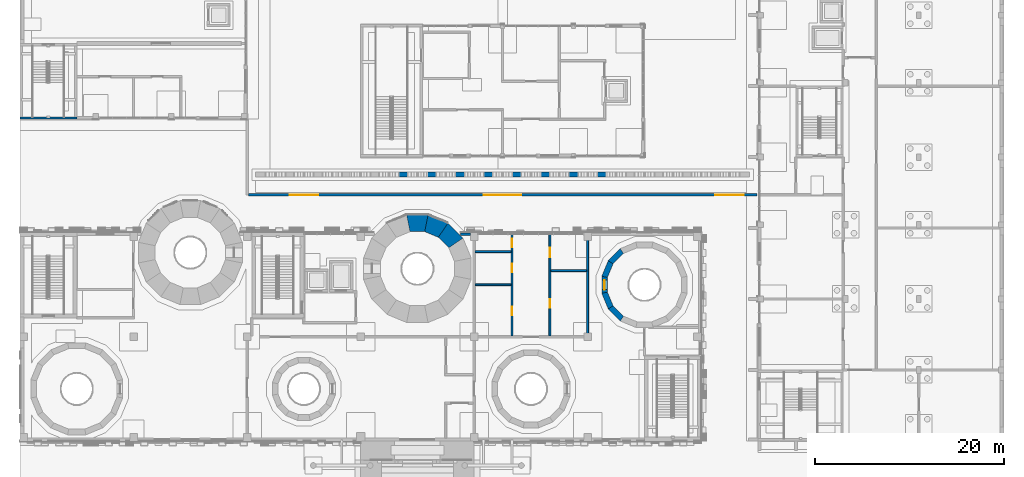
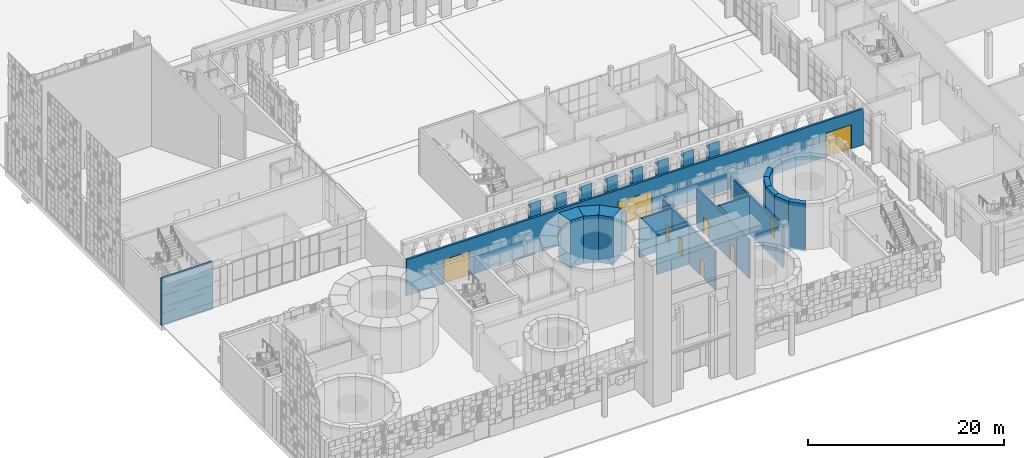
# One storey, part 50 of 125: 25 walls, 9 doors, 9 openings.
"""IFC4 building model written with IfcOpenShell, lengths in metres."""

from ifc_helpers import new_model, si_unit, direction, frame, frame_2d, origin, place, context, subcontext, project, spatial, polyline, rectangle, outline, extrude, material, layer, layer_set, type_object, element, fill, save


model = new_model("IFC4")

# Units and contexts
model_context = context("Model", 3, precision=1e-05, world=origin(), true_north=direction((0.0, 1.0)))
body_context = subcontext(model_context, "Body", "Model", "MODEL_VIEW")
ifc_project = project(units=[si_unit("LENGTHUNIT", "METRE"), si_unit("AREAUNIT", "SQUARE_METRE"), si_unit("VOLUMEUNIT", "CUBIC_METRE"), si_unit("PLANEANGLEUNIT", "RADIAN"), si_unit("MASSUNIT", "GRAM", prefix="KILO")], contexts=[model_context])

# Site, building, storey
site_placement = place(None, origin())
site = spatial("IfcSite", under=ifc_project, at=site_placement, CompositionType="ELEMENT")
building_placement = place(site_placement, origin())
building = spatial("IfcBuilding", under=site, at=building_placement, Name="Sun Court Science Centre", CompositionType="ELEMENT")
storey_placement = place(building_placement, origin())
storey = spatial("IfcBuildingStorey", under=building, at=storey_placement, Name="L00", CompositionType="ELEMENT", Elevation=0.0)

# Walls
ifc_material_1 = material(Name="Concrete C30/37", Category="concrete")
ifc_layer_1 = layer(ifc_material_1, 0.5)
ifc_layer_set_1 = layer_set([ifc_layer_1], Name="Concrete C30/37")
wall_type_1 = type_object("IfcWallType", Name="Arcade pier 500 reinforced", PredefinedType="SOLIDWALL", material=ifc_layer_set_1)
for number, where, z_axis, x_axis, name in (
    (1, (39.89990234375, 34.14990234375, 0.0), (0.0, 0.0, 1.0), (1.0, 0.0, 0.0), "Arcade pier AR1 06"),
    (2, (42.89990234375, 34.14990234375, 0.0), (0.0, 0.0, 1.0), (1.0, 0.0, 0.0), "Arcade pier AR1 07"),
    (3, (45.89990234375, 34.14990234375, 0.0), (0.0, 0.0, 1.0), (1.0, 0.0, 0.0), "Arcade pier AR1 08"),
    (4, (48.89990234375, 34.14990234375, 0.0), (0.0, 0.0, 1.0), (1.0, 0.0, 0.0), "Arcade pier AR1 09"),
    (5, (51.89990234375, 34.14990234375, 0.0), (0.0, 0.0, 1.0), (1.0, 0.0, 0.0), "Arcade pier AR1 10"),
    (6, (54.89990234375, 34.14990234375, 0.0), (0.0, 0.0, 1.0), (1.0, 0.0, 0.0), "Arcade pier AR1 11"),
    (7, (57.89990234375, 34.14990234375, 0.0), (0.0, 0.0, 1.0), (1.0, 0.0, 0.0), "Arcade pier AR1 12"),
    (8, (60.89990234375, 34.14990234375, 0.0), (0.0, 0.0, 1.0), (1.0, 0.0, 0.0), "Arcade pier AR1 13"),
):
    element("IfcWall", number, at=place(storey_placement, frame(where, z_axis=z_axis, x_axis=x_axis)), inside=storey, type_object=wall_type_1, Name=name, PredefinedType="SOLIDWALL", context=body_context, shape_type="SweptSolid", body=[
        extrude(rectangle(XDim=1.2001953125, YDim=0.5, at=frame_2d((0.60009765625, 0.0))), origin(), (0.0, 0.0, 1.0), 4.800048828125),
    ])
ifc_material_2 = material(Name="Clay masonry", Category="masonry")
ifc_layer_2 = layer(ifc_material_2, 0.300048828125)
ifc_layer_set_2 = layer_set([ifc_layer_2], Name="Clay masonry")
wall_type_2 = type_object("IfcWallType", Name="Clay masonry infill wall 300", PredefinedType="SOLIDWALL", material=ifc_layer_set_2)
wall_1_placement = place(storey_placement, frame((46.544921875, 27.85009765625, 0.0), z_axis=(0.0, 0.0, 1.0), x_axis=(1.0, 0.0, 0.0)))
element("IfcWall", 9, at=wall_1_placement, inside=storey, type_object=wall_type_2, Name="External infill wall L00 north face 05", PredefinedType="SOLIDWALL", context=body_context, shape_type="SweptSolid", body=[
    extrude(rectangle(XDim=1.05517578125, YDim=0.300048828125, at=frame_2d((0.527587890625, 0.0))), origin(), (0.0, 0.0, 1.0), 4.800048828125),
])

# Wall, openings, doors
ifc_material_3 = material(Name="Concrete block", Category="concrete")
ifc_layer_3 = layer(ifc_material_3, 0.199951171875)
ifc_layer_set_3 = layer_set([ifc_layer_3], Name="Concrete block")
wall_type_3 = type_object("IfcWallType", Name="Partition 200 block EI60", PredefinedType="PARTITIONING", material=ifc_layer_set_3)
wall_2_placement = place(storey_placement, frame((56.0, 27.800048828125, 0.0), z_axis=(0.0, 0.0, 1.0), x_axis=(0.0, -1.0, 0.0)))
wall_2 = element("IfcWall", 10, at=wall_2_placement, inside=storey, type_object=wall_type_3, Name="L00 partition 014", PredefinedType="PARTITIONING", context=body_context, shape_type="SweptSolid", body=[
    extrude(rectangle(XDim=10.699951171875, YDim=0.199951171875, at=frame_2d((5.35009765625, 0.0))), origin(), (0.0, 0.0, 1.0), 4.800048828125),
])
opening_1_placement = place(wall_2_placement, frame((6.84912109375, 0.0, 0.0)))
opening_1 = element("IfcOpeningElement", 11, at=opening_1_placement, cuts=wall_2, Name="Opening D-L00-004", PredefinedType="OPENING", context=body_context, shape_type="SweptSolid", body=[
    extrude(rectangle(XDim=0.89990234375, YDim=2.10009765625, at=frame_2d((0.449951171875, 1.050048828125))), frame((0.0, 0.10986328125, 0.0), z_axis=(0.0, -1.0, 0.0), x_axis=(1.0, 0.0, 0.0)), (0.0, 0.0, 1.0), 0.219970703125),
])
opening_2_placement = place(wall_2_placement, frame((1.40087890625, 0.0, 0.0)))
opening_2 = element("IfcOpeningElement", 12, at=opening_2_placement, cuts=wall_2, Name="Opening D-L00-005", PredefinedType="OPENING", context=body_context, shape_type="SweptSolid", body=[
    extrude(rectangle(XDim=1.0, YDim=2.10009765625, at=frame_2d((0.5, 1.050048828125))), frame((0.0, 0.10986328125, 0.0), z_axis=(0.0, -1.0, 0.0), x_axis=(1.0, 0.0, 0.0)), (0.0, 0.0, 1.0), 0.219970703125),
])
ifc_material_4 = material(Name="Steel", Category="steel")
door_type_1 = type_object("IfcDoorType", Name="Door 1000x2100 single leaf FD60", OperationType="NOTDEFINED", PredefinedType="DOOR", material=ifc_material_4)
door_1_placement = place(opening_2_placement, origin())
door_1 = element("IfcDoor", 13, at=door_1_placement, inside=storey, type_object=door_type_1, Name="Door D-L00-005", OperationType="SINGLE_SWING_RIGHT", OverallHeight=2.10009765625, OverallWidth=1.0, PredefinedType="DOOR", context=body_context, shape_type="SweptSolid", body=[
    extrude(rectangle(XDim=1.0, YDim=2.10009765625, at=frame_2d((0.5, 1.050048828125))), frame((0.0, 0.02490234375, 0.0), z_axis=(0.0, -1.0, 0.0), x_axis=(1.0, 0.0, 0.0)), (0.0, 0.0, 1.0), 0.050048828125),
])
fill(opening_2, door_1)
ifc_material_5 = material(Name="Timber", Category="wood")
door_type_2 = type_object("IfcDoorType", Name="Door 900x2100 single leaf", OperationType="NOTDEFINED", PredefinedType="DOOR", material=ifc_material_5)
door_2_placement = place(opening_1_placement, origin())
door_2 = element("IfcDoor", 14, at=door_2_placement, inside=storey, type_object=door_type_2, Name="Door D-L00-004", OperationType="SINGLE_SWING_LEFT", OverallHeight=2.10009765625, OverallWidth=0.89990234375, PredefinedType="DOOR", context=body_context, shape_type="SweptSolid", body=[
    extrude(rectangle(XDim=0.89990234375, YDim=2.10009765625, at=frame_2d((0.449951171875, 1.050048828125))), frame((0.0, 0.02490234375, 0.0), z_axis=(0.0, -1.0, 0.0), x_axis=(1.0, 0.0, 0.0)), (0.0, 0.0, 1.0), 0.050048828125),
])
fill(opening_1, door_2)

wall_3_placement = place(storey_placement, frame((52.0, 17.10009765625, 0.0), z_axis=(0.0, 0.0, 1.0), x_axis=(0.0, 1.0, 0.0)))
wall_3 = element("IfcWall", 15, at=wall_3_placement, inside=storey, type_object=wall_type_3, Name="L00 partition 015", PredefinedType="PARTITIONING", context=body_context, shape_type="SweptSolid", body=[
    extrude(rectangle(XDim=10.699951171875, YDim=0.199951171875, at=frame_2d((5.35009765625, 0.0))), origin(), (0.0, 0.0, 1.0), 4.800048828125),
])
opening_3_placement = place(wall_3_placement, frame((2.200927734375, 0.0, 0.0)))
opening_3 = element("IfcOpeningElement", 16, at=opening_3_placement, cuts=wall_3, Name="Opening D-L00-001", PredefinedType="OPENING", context=body_context, shape_type="SweptSolid", body=[
    extrude(rectangle(XDim=0.89990234375, YDim=2.10009765625, at=frame_2d((0.449951171875, 1.050048828125))), frame((0.0, 0.10986328125, 0.0), z_axis=(0.0, -1.0, 0.0), x_axis=(1.0, 0.0, 0.0)), (0.0, 0.0, 1.0), 0.219970703125),
])
opening_4_placement = place(wall_3_placement, frame((6.699951171875, 0.0, 0.0)))
opening_4 = element("IfcOpeningElement", 17, at=opening_4_placement, cuts=wall_3, Name="Opening D-L00-002", PredefinedType="OPENING", context=body_context, shape_type="SweptSolid", body=[
    extrude(rectangle(XDim=0.89990234375, YDim=2.10009765625, at=frame_2d((0.449951171875, 1.050048828125))), frame((0.0, 0.10986328125, 0.0), z_axis=(0.0, -1.0, 0.0), x_axis=(1.0, 0.0, 0.0)), (0.0, 0.0, 1.0), 0.219970703125),
])
opening_5_placement = place(wall_3_placement, frame((9.34912109375, 0.0, 0.0)))
opening_5 = element("IfcOpeningElement", 18, at=opening_5_placement, cuts=wall_3, Name="Opening D-L00-003", PredefinedType="OPENING", context=body_context, shape_type="SweptSolid", body=[
    extrude(rectangle(XDim=0.89990234375, YDim=2.10009765625, at=frame_2d((0.449951171875, 1.050048828125))), frame((0.0, 0.10986328125, 0.0), z_axis=(0.0, -1.0, 0.0), x_axis=(1.0, 0.0, 0.0)), (0.0, 0.0, 1.0), 0.219970703125),
])
door_3_placement = place(opening_3_placement, origin())
door_3 = element("IfcDoor", 19, at=door_3_placement, inside=storey, type_object=door_type_2, Name="Door D-L00-001", OperationType="SINGLE_SWING_RIGHT", OverallHeight=2.10009765625, OverallWidth=0.89990234375, PredefinedType="DOOR", context=body_context, shape_type="SweptSolid", body=[
    extrude(rectangle(XDim=0.89990234375, YDim=2.10009765625, at=frame_2d((0.449951171875, 1.050048828125))), frame((0.0, 0.02490234375, 0.0), z_axis=(0.0, -1.0, 0.0), x_axis=(1.0, 0.0, 0.0)), (0.0, 0.0, 1.0), 0.050048828125),
])
fill(opening_3, door_3)
door_4_placement = place(opening_4_placement, origin())
door_4 = element("IfcDoor", 20, at=door_4_placement, inside=storey, type_object=door_type_2, Name="Door D-L00-002", OperationType="SINGLE_SWING_LEFT", OverallHeight=2.10009765625, OverallWidth=0.89990234375, PredefinedType="DOOR", context=body_context, shape_type="SweptSolid", body=[
    extrude(rectangle(XDim=0.89990234375, YDim=2.10009765625, at=frame_2d((0.449951171875, 1.050048828125))), frame((0.0, 0.02490234375, 0.0), z_axis=(0.0, -1.0, 0.0), x_axis=(1.0, 0.0, 0.0)), (0.0, 0.0, 1.0), 0.050048828125),
])
fill(opening_4, door_4)
ifc_material_6 = material(Name="Steel", Category="steel")
door_type_3 = type_object("IfcDoorType", Name="Door 900x2100 single leaf FD30S", OperationType="NOTDEFINED", PredefinedType="DOOR", material=ifc_material_6)
door_5_placement = place(opening_5_placement, origin())
door_5 = element("IfcDoor", 21, at=door_5_placement, inside=storey, type_object=door_type_3, Name="Door D-L00-003", OperationType="SINGLE_SWING_LEFT", OverallHeight=2.10009765625, OverallWidth=0.89990234375, PredefinedType="DOOR", context=body_context, shape_type="SweptSolid", body=[
    extrude(rectangle(XDim=0.89990234375, YDim=2.10009765625, at=frame_2d((0.449951171875, 1.050048828125))), frame((0.0, 0.02490234375, 0.0), z_axis=(0.0, -1.0, 0.0), x_axis=(1.0, 0.0, 0.0)), (0.0, 0.0, 1.0), 0.050048828125),
])
fill(opening_5, door_5)

# Walls
ifc_material_7 = material(Name="Gypsum board")
ifc_layer_4 = layer(ifc_material_7, 0.199951171875)
ifc_layer_set_4 = layer_set([ifc_layer_4], Name="Gypsum board")
wall_type_4 = type_object("IfcWallType", Name="Partition 200 stud EI30", PredefinedType="PARTITIONING", material=ifc_layer_set_4)
for number, where, z_axis, x_axis, name in (
    (22, (48.10009765625, 22.5, 0.0), (0.0, 0.0, 1.0), (1.0, 0.0, 0.0), "L00 partition 009"),
    (23, (56.10009765625, 24.0, 0.0), (0.0, 0.0, 1.0), (1.0, 0.0, 0.0), "L00 partition 010"),
    (24, (48.10009765625, 26.0, 0.0), (0.0, 0.0, 1.0), (1.0, 0.0, 0.0), "L00 partition 011"),
):
    element("IfcWall", number, at=place(storey_placement, frame(where, z_axis=z_axis, x_axis=x_axis)), inside=storey, type_object=wall_type_4, Name=name, PredefinedType="PARTITIONING", context=body_context, shape_type="SweptSolid", body=[
        extrude(rectangle(XDim=3.7998046875, YDim=0.199951171875, at=frame_2d((1.89990234375, 0.0))), origin(), (0.0, 0.0, 1.0), 4.800048828125),
    ])
wall_4_placement = place(storey_placement, frame((60.0, 17.10009765625, 0.0), z_axis=(0.0, 0.0, 1.0), x_axis=(0.0, 1.0, 0.0)))
element("IfcWall", 25, at=wall_4_placement, inside=storey, type_object=wall_type_4, Name="L00 partition 013", PredefinedType="PARTITIONING", context=body_context, shape_type="SweptSolid", body=[
    extrude(rectangle(XDim=10.699951171875, YDim=0.199951171875, at=frame_2d((5.35009765625, 0.0))), origin(), (0.0, 0.0, 1.0), 4.800048828125),
])
ifc_material_8 = material(Name="Concrete C30/37", Category="concrete")
ifc_layer_5 = layer(ifc_material_8, 1.777099609375)
ifc_layer_set_5 = layer_set([ifc_layer_5], Name="Concrete C30/37")
wall_type_5 = type_object("IfcWallType", Name="RC cone ring wall 1777", PredefinedType="SHEAR", material=ifc_layer_set_5)
wall_5_placement = place(storey_placement, frame((46.1943359375, 26.7939453125, -0.199951171875), z_axis=(0.0, 0.0, 1.0), x_axis=(-0.707106781187, 0.707106781187, 0.0)))
element("IfcWall", 26, at=wall_5_placement, inside=storey, type_object=wall_type_5, Name="Cone 4 ring wall L00 segment 2", PredefinedType="SHEAR", context=body_context, shape_type="SweptSolid", body=[
    extrude(outline(polyline([(0.000244140625, -0.888427734375), (2.262939453125, -0.888427734375), (1.90966796875, 0.888427734375), (0.353515625, 0.888427734375), (0.000244140625, -0.888427734375)])), origin(), (0.0, 0.0, 1.0), 5.89990234375),
])
wall_6_placement = place(storey_placement, frame((44.88232421875, 28.20166015625, -0.199951171875), z_axis=(0.0, 0.0, 1.0), x_axis=(-0.923891926087, 0.382653510256, 0.0)))
element("IfcWall", 27, at=wall_6_placement, inside=storey, type_object=wall_type_5, Name="Cone 4 ring wall L00 segment 3", PredefinedType="SHEAR", context=body_context, shape_type="SweptSolid", body=[
    extrude(outline(polyline([(-0.000244140625, -0.888427734375), (2.262939453125, -0.888671875), (1.90966796875, 0.888427734375), (0.353515625, 0.888427734375), (-0.000244140625, -0.888427734375)])), origin(), (0.0, 0.0, 1.0), 5.89990234375),
])
wall_7_placement = place(storey_placement, frame((43.131591796875, 29.0, -0.199951171875), z_axis=(0.0, 0.0, 1.0), x_axis=(-1.0, 0.0, 0.0)))
element("IfcWall", 28, at=wall_7_placement, inside=storey, type_object=wall_type_5, Name="Cone 4 ring wall L00 segment 4", PredefinedType="SHEAR", context=body_context, shape_type="SweptSolid", body=[
    extrude(outline(polyline([(0.0, -0.888671875), (2.26318359375, -0.888671875), (1.90966796875, 0.888427734375), (0.353515625, 0.888427734375), (0.0, -0.888671875)])), origin(), (0.0, 0.0, 1.0), 5.89990234375),
])
ifc_material_9 = material(Name="Concrete C30/37", Category="concrete")
ifc_layer_6 = layer(ifc_material_9, 0.60009765625)
ifc_layer_set_6 = layer_set([ifc_layer_6], Name="Concrete C30/37")
wall_type_6 = type_object("IfcWallType", Name="RC cone ring wall 600", PredefinedType="SHEAR", material=ifc_layer_set_6)
wall_8_placement = place(storey_placement, frame((63.656494140625, 26.112548828125, -0.199951171875), z_axis=(0.0, 0.0, 1.0), x_axis=(-0.707106781187, -0.707106781187, 0.0)))
element("IfcWall", 29, at=wall_8_placement, inside=storey, type_object=wall_type_6, Name="Cone 6 ring wall L00 segment 6", PredefinedType="SHEAR", context=body_context, shape_type="SweptSolid", body=[
    extrude(outline(polyline([(0.0, -0.300048828125), (1.794677734375, -0.300048828125), (1.67529296875, 0.2998046875), (0.119384765625, 0.2998046875), (0.0, -0.300048828125)])), origin(), (0.0, 0.0, 1.0), 5.89990234375),
])
wall_9_placement = place(storey_placement, frame((62.452392578125, 24.94091796875, -0.199951171875), z_axis=(0.0, 0.0, 1.0), x_axis=(-0.3826441282, -0.92389581185, 0.0)))
element("IfcWall", 30, at=wall_9_placement, inside=storey, type_object=wall_type_6, Name="Cone 6 ring wall L00 segment 7", PredefinedType="SHEAR", context=body_context, shape_type="SweptSolid", body=[
    extrude(outline(polyline([(0.0, -0.2998046875), (1.794921875, -0.300048828125), (1.675537109375, 0.300048828125), (0.119384765625, 0.300048828125), (0.0, -0.2998046875)])), origin(), (0.0, 0.0, 1.0), 5.89990234375),
])

# Wall, opening, door
wall_10_placement = place(storey_placement, frame((61.788330078125, 23.3974609375, -0.199951171875), z_axis=(0.0, 0.0, 1.0), x_axis=(0.0, -1.0, 0.0)))
wall_10 = element("IfcWall", 31, at=wall_10_placement, inside=storey, type_object=wall_type_6, Name="Cone 6 ring wall L00 segment 8", PredefinedType="SHEAR", context=body_context, shape_type="SweptSolid", body=[
    extrude(outline(polyline([(0.0, -0.300048828125), (1.794921875, -0.300048828125), (1.675537109375, 0.300048828125), (0.119384765625, 0.300048828125), (0.0, -0.300048828125)])), origin(), (0.0, 0.0, 1.0), 5.89990234375),
])
opening_6_placement = place(wall_10_placement, frame((0.3974609375, 0.0, 0.199951171875)))
opening_6 = element("IfcOpeningElement", 32, at=opening_6_placement, cuts=wall_10, Name="Opening D-L00-026", PredefinedType="OPENING", context=body_context, shape_type="SweptSolid", body=[
    extrude(rectangle(XDim=1.0, YDim=2.199951171875, at=frame_2d((0.5, 1.10009765625))), frame((0.0, 0.31005859375, 0.0), z_axis=(0.0, -1.0, 0.0), x_axis=(1.0, 0.0, 0.0)), (0.0, 0.0, 1.0), 0.6201171875),
])
ifc_material_10 = material(Name="Timber", Category="wood")
door_type_4 = type_object("IfcDoorType", Name="Door 1000x2200 single leaf", OperationType="NOTDEFINED", PredefinedType="DOOR", material=ifc_material_10)
door_6_placement = place(opening_6_placement, origin())
door_6 = element("IfcDoor", 33, at=door_6_placement, inside=storey, type_object=door_type_4, Name="Door D-L00-026", OperationType="SINGLE_SWING_LEFT", OverallHeight=2.199951171875, OverallWidth=1.0, PredefinedType="DOOR", context=body_context, shape_type="SweptSolid", body=[
    extrude(rectangle(XDim=1.0, YDim=2.199951171875, at=frame_2d((0.5, 1.10009765625))), frame((0.0, 0.02490234375, 0.0), z_axis=(0.0, -1.0, 0.0), x_axis=(1.0, 0.0, 0.0)), (0.0, 0.0, 1.0), 0.050048828125),
])
fill(opening_6, door_6)

# Walls
wall_11_placement = place(storey_placement, frame((61.765625, 21.71728515625, -0.199951171875), z_axis=(0.0, 0.0, 1.0), x_axis=(0.3826441282, -0.92389581185, 0.0)))
element("IfcWall", 34, at=wall_11_placement, inside=storey, type_object=wall_type_6, Name="Cone 6 ring wall L00 segment 9", PredefinedType="SHEAR", context=body_context, shape_type="SweptSolid", body=[
    extrude(outline(polyline([(0.0, -0.300048828125), (1.794677734375, -0.2998046875), (1.67529296875, 0.300048828125), (0.119140625, 0.300048828125), (0.0, -0.300048828125)])), origin(), (0.0, 0.0, 1.0), 5.89990234375),
])
wall_12_placement = place(storey_placement, frame((62.387451171875, 20.156494140625, -0.199951171875), z_axis=(0.0, 0.0, 1.0), x_axis=(0.707106781187, -0.707106781187, 0.0)))
element("IfcWall", 35, at=wall_12_placement, inside=storey, type_object=wall_type_6, Name="Cone 6 ring wall L00 segment 10", PredefinedType="SHEAR", context=body_context, shape_type="SweptSolid", body=[
    extrude(outline(polyline([(0.0, -0.300048828125), (1.794677734375, -0.300048828125), (1.67529296875, 0.2998046875), (0.119384765625, 0.2998046875), (0.0, -0.300048828125)])), origin(), (0.0, 0.0, 1.0), 5.89990234375),
])
ifc_material_11 = material(Name="Concrete C30/37", Category="concrete")
ifc_layer_7 = layer(ifc_material_11, 0.25)
ifc_layer_set_7 = layer_set([ifc_layer_7], Name="Concrete C30/37")
wall_type_7 = type_object("IfcWallType", Name="RC stair core wall 250", PredefinedType="SHEAR", material=ifc_layer_set_7)
wall_13_placement = place(storey_placement, frame((0.0, 40.125, -0.199951171875), z_axis=(0.0, 0.0, 1.0), x_axis=(1.0, 0.0, 0.0)))
element("IfcWall", 36, at=wall_13_placement, inside=storey, type_object=wall_type_7, Name="Stair core ST1 wall S, L00", PredefinedType="SHEAR", context=body_context, shape_type="SweptSolid", body=[
    extrude(rectangle(XDim=6.0, YDim=0.25, at=frame_2d((3.0, 0.0))), origin(), (0.0, 0.0, 1.0), 5.89990234375),
])

# Wall, openings, doors
ifc_material_12 = material(Name="Terracotta", Category="masonry")
ifc_layer_8 = layer(ifc_material_12, 0.25)
ifc_layer_set_8 = layer_set([ifc_layer_8], Name="Terracotta")
wall_type_8 = type_object("IfcWallType", Name="Terracotta jali court wall 250", PredefinedType="SOLIDWALL", material=ifc_layer_set_8)
wall_14_placement = place(storey_placement, frame((24.125, 32.0, 0.0), z_axis=(0.0, 0.0, 1.0), x_axis=(1.0, 0.0, 0.0)))
wall_14 = element("IfcWall", 37, at=wall_14_placement, inside=storey, type_object=wall_type_8, Name="Court screen wall CW1", PredefinedType="SOLIDWALL", context=body_context, shape_type="SweptSolid", body=[
    extrude(rectangle(XDim=53.77490234375, YDim=0.25, at=frame_2d((26.887451171875, 0.0))), origin(), (0.0, 0.0, 1.0), 4.5),
])
opening_7_placement = place(wall_14_placement, frame((4.375, 0.0, 0.0)))
opening_7 = element("IfcOpeningElement", 38, at=opening_7_placement, cuts=wall_14, Name="Opening D-L00-G01", PredefinedType="OPENING", context=body_context, shape_type="SweptSolid", body=[
    extrude(rectangle(XDim=3.0, YDim=3.0, at=frame_2d((1.5, 1.5))), frame((0.0, 0.135009765625, 0.0), z_axis=(0.0, -1.0, 0.0), x_axis=(1.0, 0.0, 0.0)), (0.0, 0.0, 1.0), 0.27001953125),
])
opening_8_placement = place(wall_14_placement, frame((24.875, 0.0, 0.0)))
opening_8 = element("IfcOpeningElement", 39, at=opening_8_placement, cuts=wall_14, Name="Opening D-L00-G02", PredefinedType="OPENING", context=body_context, shape_type="SweptSolid", body=[
    extrude(rectangle(XDim=4.0, YDim=3.0, at=frame_2d((2.0, 1.5))), frame((0.0, 0.135009765625, 0.0), z_axis=(0.0, -1.0, 0.0), x_axis=(1.0, 0.0, 0.0)), (0.0, 0.0, 1.0), 0.27001953125),
])
opening_9_placement = place(wall_14_placement, frame((49.375, 0.0, 0.0)))
opening_9 = element("IfcOpeningElement", 40, at=opening_9_placement, cuts=wall_14, Name="Opening D-L00-G03", PredefinedType="OPENING", context=body_context, shape_type="SweptSolid", body=[
    extrude(rectangle(XDim=3.0, YDim=3.0, at=frame_2d((1.5, 1.5))), frame((0.0, 0.135009765625, 0.0), z_axis=(0.0, -1.0, 0.0), x_axis=(1.0, 0.0, 0.0)), (0.0, 0.0, 1.0), 0.27001953125),
])
ifc_material_13 = material(Name="Steel, painted", Category="steel")
door_type_5 = type_object("IfcDoorType", Name="Court gate 3000 x 3000", OperationType="DOUBLE_DOOR_SLIDING", PredefinedType="DOOR", material=ifc_material_13)
door_7_placement = place(opening_7_placement, origin())
door_7 = element("IfcDoor", 41, at=door_7_placement, inside=storey, type_object=door_type_5, Name="Court gate D-L00-G01", OperationType="DOUBLE_DOOR_SLIDING", OverallHeight=3.0, OverallWidth=3.0, PredefinedType="DOOR", context=body_context, shape_type="SweptSolid", body=[
    extrude(rectangle(XDim=3.0, YDim=3.0, at=frame_2d((1.5, 1.5))), frame((0.0, 0.02490234375, 0.0), z_axis=(0.0, -1.0, 0.0), x_axis=(1.0, 0.0, 0.0)), (0.0, 0.0, 1.0), 0.050048828125),
])
fill(opening_7, door_7)
door_8_placement = place(opening_9_placement, origin())
door_8 = element("IfcDoor", 42, at=door_8_placement, inside=storey, type_object=door_type_5, Name="Court gate D-L00-G03", OperationType="DOUBLE_DOOR_SLIDING", OverallHeight=3.0, OverallWidth=3.0, PredefinedType="DOOR", context=body_context, shape_type="SweptSolid", body=[
    extrude(rectangle(XDim=3.0, YDim=3.0, at=frame_2d((1.5, 1.5))), frame((0.0, 0.02490234375, 0.0), z_axis=(0.0, -1.0, 0.0), x_axis=(1.0, 0.0, 0.0)), (0.0, 0.0, 1.0), 0.050048828125),
])
fill(opening_9, door_8)
ifc_material_14 = material(Name="Steel, painted", Category="steel")
door_type_6 = type_object("IfcDoorType", Name="Court gate 4000 x 3000", OperationType="DOUBLE_DOOR_SLIDING", PredefinedType="DOOR", material=ifc_material_14)
door_9_placement = place(opening_8_placement, origin())
door_9 = element("IfcDoor", 43, at=door_9_placement, inside=storey, type_object=door_type_6, Name="Court gate D-L00-G02", OperationType="DOUBLE_DOOR_SLIDING", OverallHeight=3.0, OverallWidth=4.0, PredefinedType="DOOR", context=body_context, shape_type="SweptSolid", body=[
    extrude(rectangle(XDim=4.0, YDim=3.0, at=frame_2d((2.0, 1.5))), frame((0.0, 0.02490234375, 0.0), z_axis=(0.0, -1.0, 0.0), x_axis=(1.0, 0.0, 0.0)), (0.0, 0.0, 1.0), 0.050048828125),
])
fill(opening_8, door_9)

save(model, "model.ifc")
